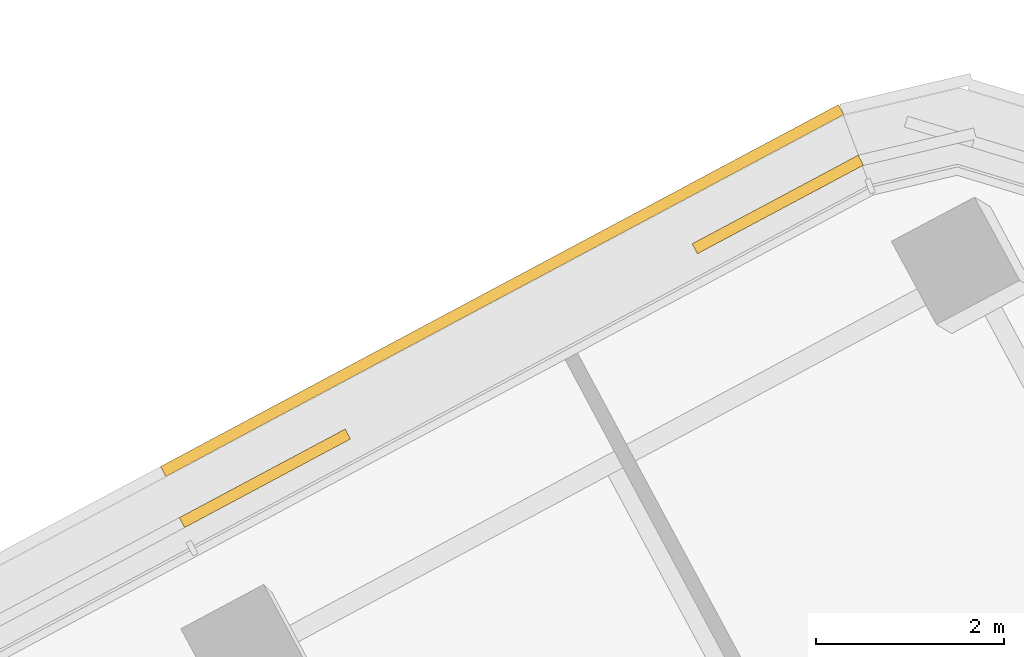
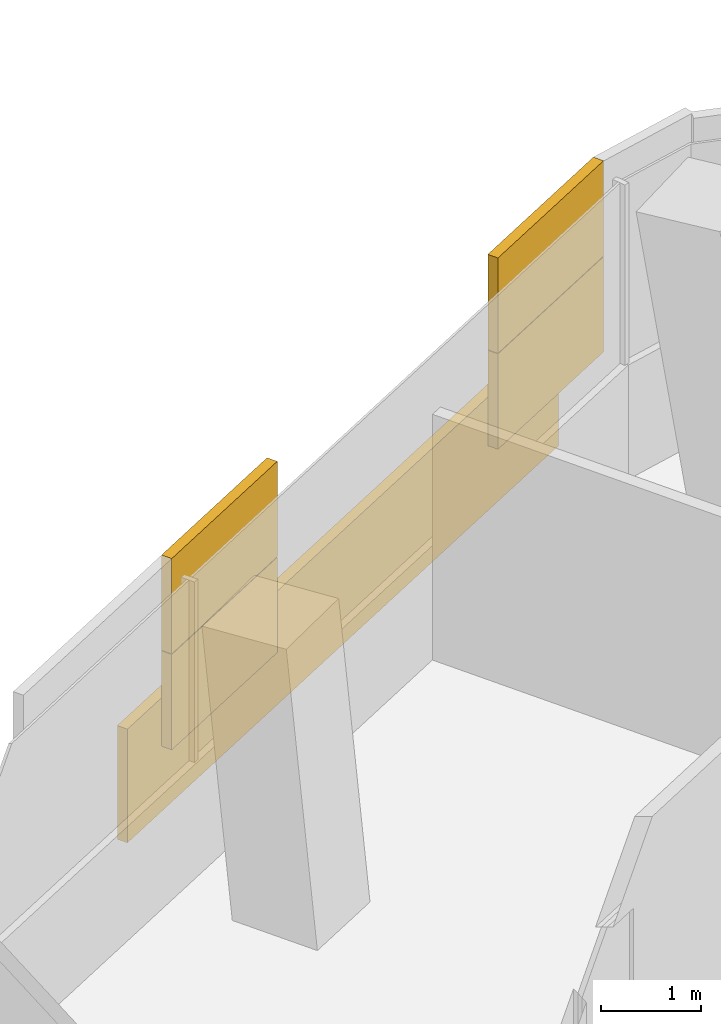
# One storey, part 33 of 33: 1 covering.
"""IFC4 building model written with IfcOpenShell, lengths in metres."""

from ifc_helpers import new_model, si_unit, direction, frame, origin, origin_2d, place, context, subcontext, project, spatial, rectangle, extrude, material, layer, layer_set, type_object, element, save


model = new_model("IFC4")

# Units and contexts
model_context = context("Model", 3, precision=1e-05, world=origin(), true_north=direction((0.0, 1.0)))
body_context = subcontext(model_context, "Body", "Model", "MODEL_VIEW")
ifc_project = project(units=[si_unit("LENGTHUNIT", "METRE"), si_unit("AREAUNIT", "SQUARE_METRE"), si_unit("VOLUMEUNIT", "CUBIC_METRE"), si_unit("PLANEANGLEUNIT", "RADIAN"), si_unit("MASSUNIT", "GRAM", prefix="KILO")], contexts=[model_context])

# Site, building, storey
site_placement = place(None, origin())
site = spatial("IfcSite", under=ifc_project, at=site_placement, CompositionType="ELEMENT")
building_placement = place(site_placement, origin())
building = spatial("IfcBuilding", under=site, at=building_placement, Name="Tamarind Cross Interchange Tower", CompositionType="ELEMENT")
storey_placement = place(building_placement, frame((0.0, 0.0, 136.75)))
storey = spatial("IfcBuildingStorey", under=building, at=storey_placement, Name="L33", CompositionType="ELEMENT", Elevation=136.75)

# Covering
ifc_material = material(Name="Terracotta", Category="masonry")
ifc_layer = layer(ifc_material, 0.1201171875)
ifc_layer_set = layer_set([ifc_layer], Name="Terracotta")
covering_type = type_object("IfcCoveringType", Name="Terracotta baguette screen unit", PredefinedType="MOLDING", material=ifc_layer_set)
covering_placement = place(storey_placement, origin())
element("IfcCovering", 1, at=covering_placement, inside=storey, type_object=covering_type, Name="SCR-L33-13-00", PredefinedType="MOLDING", context=body_context, shape_type="SweptSolid", body=[
    extrude(rectangle(XDim=0.760009765625, YDim=0.1201171875, at=origin_2d()), frame((40.7890625, 18.125, 1.404052734375), z_axis=(0.0, 0.0, 1.0), x_axis=(-0.88215520934, -0.47095879505, 0.0)), (0.0, 0.0, 1.0), 1.1669921875),
    extrude(rectangle(XDim=1.25390625, YDim=0.1201171875, at=origin_2d()), frame((39.909423828125, 17.655517578125, 1.404052734375), z_axis=(0.0, 0.0, 1.0), x_axis=(-0.88215520934, -0.47095879505, 0.0)), (0.0, 0.0, 1.0), 1.1669921875),
    extrude(rectangle(XDim=0.566162109375, YDim=0.1201171875, at=origin_2d()), frame((35.410400390625, 15.253662109375, 1.404052734375), z_axis=(0.0, 0.0, 1.0), x_axis=(-0.88215520934, -0.47095879505, 0.0)), (0.0, 0.0, 1.0), 1.1669921875),
    extrude(rectangle(XDim=1.44775390625, YDim=0.1201171875, at=origin_2d()), frame((34.531005859375, 14.7841796875, 1.404052734375), z_axis=(0.0, 0.0, 1.0), x_axis=(-0.88215520934, -0.47095879505, 0.0)), (0.0, 0.0, 1.0), 1.1669921875),
    extrude(rectangle(XDim=1.510009765625, YDim=0.1201171875, at=origin_2d()), frame((40.458251953125, 17.948486328125, 2.5791015625), z_axis=(0.0, 0.0, 1.0), x_axis=(-0.88215520934, -0.47095879505, 0.0)), (0.0, 0.0, 1.0), 1.1669921875),
    extrude(rectangle(XDim=0.50390625, YDim=0.1201171875, at=origin_2d()), frame((39.57861328125, 17.47900390625, 2.5791015625), z_axis=(0.0, 0.0, 1.0), x_axis=(-0.88215520934, -0.47095879505, 0.0)), (0.0, 0.0, 1.0), 1.1669921875),
    extrude(rectangle(XDim=1.316162109375, YDim=0.1201171875, at=origin_2d()), frame((35.07958984375, 15.076904296875, 2.5791015625), z_axis=(0.0, 0.0, 1.0), x_axis=(-0.88215520934, -0.47095879505, 0.0)), (0.0, 0.0, 1.0), 1.1669921875),
    extrude(rectangle(XDim=0.69775390625, YDim=0.1201171875, at=origin_2d()), frame((34.2001953125, 14.607421875, 2.5791015625), z_axis=(0.0, 0.0, 1.0), x_axis=(-0.88215520934, -0.47095879505, 0.0)), (0.0, 0.0, 1.0), 1.1669921875),
    extrude(rectangle(XDim=0.760009765625, YDim=0.1201171875, at=origin_2d()), frame((40.580322265625, 18.664306640625, 0.00390625), z_axis=(0.0, 0.0, 1.0), x_axis=(-0.88215520934, -0.47095879505, 0.0)), (0.0, 0.0, 1.0), 1.39208984375),
    extrude(rectangle(XDim=1.52001953125, YDim=0.1201171875, at=origin_2d()), frame((39.59228515625, 18.136962890625, 0.00390625), z_axis=(0.0, 0.0, 1.0), x_axis=(-0.88215520934, -0.47095879505, 0.0)), (0.0, 0.0, 1.0), 1.39208984375),
    extrude(rectangle(XDim=1.52001953125, YDim=0.1201171875, at=origin_2d()), frame((38.26904296875, 17.430419921875, 0.00390625), z_axis=(0.0, 0.0, 1.0), x_axis=(-0.88215520934, -0.47095879505, 0.0)), (0.0, 0.0, 1.0), 1.39208984375),
    extrude(rectangle(XDim=1.52001953125, YDim=0.1201171875, at=origin_2d()), frame((36.94580078125, 16.72412109375, 0.00390625), z_axis=(0.0, 0.0, 1.0), x_axis=(-0.88215520934, -0.47095879505, 0.0)), (0.0, 0.0, 1.0), 1.39208984375),
    extrude(rectangle(XDim=1.52001953125, YDim=0.1201171875, at=origin_2d()), frame((35.62255859375, 16.017578125, 0.00390625), z_axis=(0.0, 0.0, 1.0), x_axis=(-0.88215520934, -0.47095879505, 0.0)), (0.0, 0.0, 1.0), 1.39208984375),
    extrude(rectangle(XDim=1.447021484375, YDim=0.1201171875, at=origin_2d()), frame((34.33154296875, 15.328369140625, 0.00390625), z_axis=(0.0, 0.0, 1.0), x_axis=(-0.88215520934, -0.47095879505, 0.0)), (0.0, 0.0, 1.0), 1.39208984375),
])

save(model, "model.ifc")
